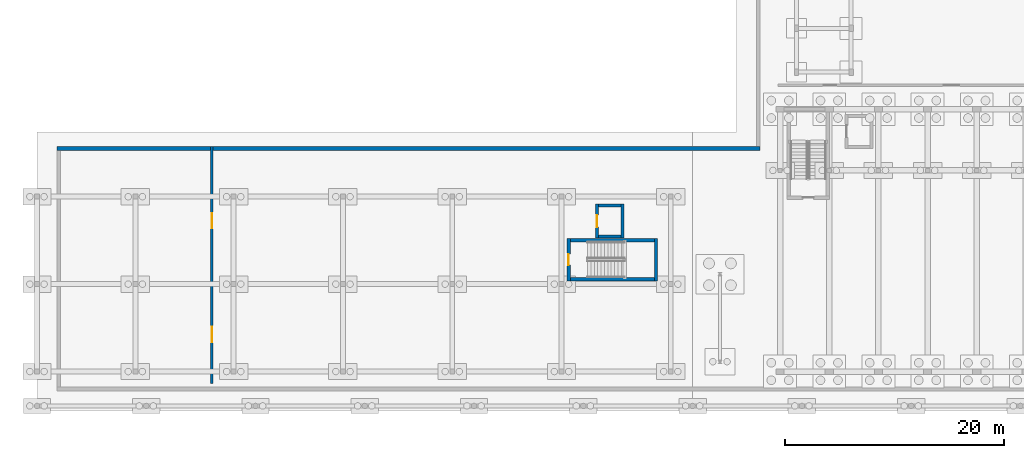
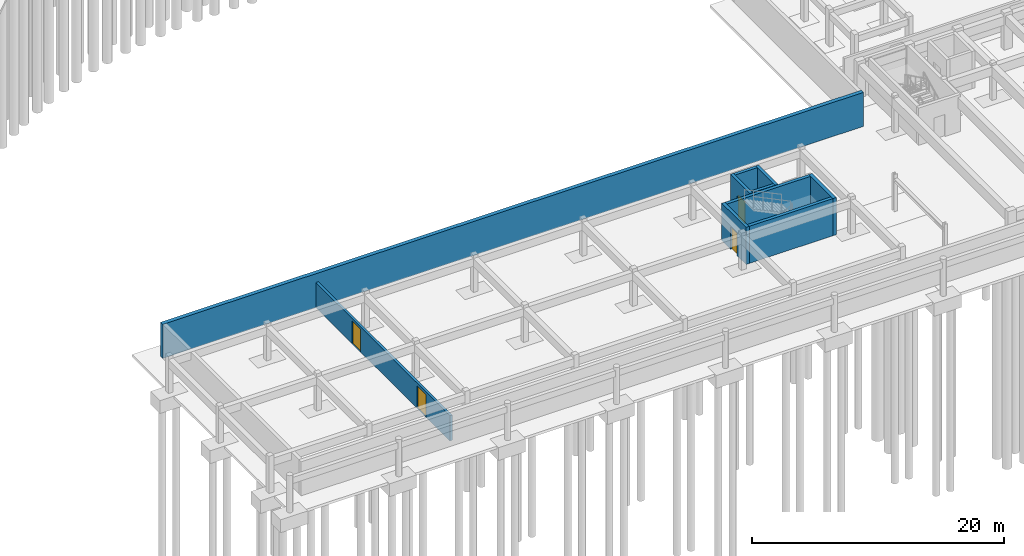
# One storey, part 16 of 32: 10 walls, 4 doors, 4 openings.
"""IFC4 building model written with IfcOpenShell, lengths in metres."""

from ifc_helpers import new_model, si_unit, direction, frame, frame_2d, origin, place, context, subcontext, project, spatial, rectangle, extrude, material, layer, layer_set, type_object, element, fill, save


model = new_model("IFC4")

# Units and contexts
model_context = context("Model", 3, precision=1e-05, world=origin(), true_north=direction((0.0, 1.0)))
body_context = subcontext(model_context, "Body", "Model", "MODEL_VIEW")
ifc_project = project(units=[si_unit("LENGTHUNIT", "METRE"), si_unit("AREAUNIT", "SQUARE_METRE"), si_unit("VOLUMEUNIT", "CUBIC_METRE"), si_unit("PLANEANGLEUNIT", "RADIAN"), si_unit("MASSUNIT", "GRAM", prefix="KILO")], contexts=[model_context])

# Site, building, storey
site_placement = place(None, origin())
site = spatial("IfcSite", under=ifc_project, at=site_placement, CompositionType="ELEMENT")
building_placement = place(site_placement, origin())
building = spatial("IfcBuilding", under=site, at=building_placement, Name="Zimvara Arc Housing Community", CompositionType="ELEMENT")
storey_placement = place(building_placement, frame((0.0, 0.0, -3.60009765625)))
storey = spatial("IfcBuildingStorey", under=building, at=storey_placement, Name="B1", CompositionType="ELEMENT", Elevation=-3.60009765625)

# Wall, openings, doors
ifc_material_1 = material(Name="Concrete C35/45", Category="concrete")
ifc_layer_1 = layer(ifc_material_1, 0.22509765625)
ifc_layer_set_1 = layer_set([ifc_layer_1], Name="Concrete C35/45")
wall_type_1 = type_object("IfcWallType", Name="IWL-PLNT-225", PredefinedType="SOLIDWALL", material=ifc_layer_set_1)
wall_1_placement = place(storey_placement, frame((16.0, 2.5, 0.0), z_axis=(0.0, 0.0, 1.0), x_axis=(0.0, 1.0, 0.0)))
wall_1 = element("IfcWall", 1, at=wall_1_placement, inside=storey, type_object=wall_type_1, Name="iwall:civ:b1_west_st", PredefinedType="SOLIDWALL", context=body_context, shape_type="SweptSolid", body=[
    extrude(rectangle(XDim=21.699951171875, YDim=0.22509765625, at=frame_2d((10.85009765625, 0.0))), origin(), (0.0, 0.0, 1.0), 2.4501953125),
])
opening_1_placement = place(wall_1_placement, frame((3.800048828125, 0.0, 0.0)))
opening_1 = element("IfcOpeningElement", 2, at=opening_1_placement, cuts=wall_1, Name="Opening FD-PL2", PredefinedType="OPENING", context=body_context, shape_type="SweptSolid", body=[
    extrude(rectangle(XDim=1.39990234375, YDim=2.199951171875, at=frame_2d((0.699951171875, 1.10009765625))), frame((0.0, 0.12255859375, 0.0), z_axis=(0.0, -1.0, 0.0), x_axis=(1.0, 0.0, 0.0)), (0.0, 0.0, 1.0), 0.2451171875),
])
opening_2_placement = place(wall_1_placement, frame((14.199951171875, 0.0, 0.0)))
opening_2 = element("IfcOpeningElement", 3, at=opening_2_placement, cuts=wall_1, Name="Opening FD-PL2", PredefinedType="OPENING", context=body_context, shape_type="SweptSolid", body=[
    extrude(rectangle(XDim=1.39990234375, YDim=2.199951171875, at=frame_2d((0.699951171875, 1.10009765625))), frame((0.0, 0.12255859375, 0.0), z_axis=(0.0, -1.0, 0.0), x_axis=(1.0, 0.0, 0.0)), (0.0, 0.0, 1.0), 0.2451171875),
])
ifc_material_2 = material(Name="Anodised Aluminium AW-6063", Category="aluminium")
door_type_1 = type_object("IfcDoorType", Name="IDR-PLNT-1400x2200", OperationType="DOUBLE_DOOR_SINGLE_SWING", PredefinedType="DOOR", material=ifc_material_2)
door_1_placement = place(opening_1_placement, origin())
door_1 = element("IfcDoor", 4, at=door_1_placement, inside=storey, type_object=door_type_1, Name="idoor:civ:wst_d", OperationType="DOUBLE_DOOR_SINGLE_SWING", OverallHeight=2.199951171875, OverallWidth=1.39990234375, PredefinedType="DOOR", context=body_context, shape_type="SweptSolid", body=[
    extrude(rectangle(XDim=1.39990234375, YDim=2.199951171875, at=frame_2d((0.699951171875, 1.10009765625))), frame((0.0, 0.02490234375, 0.0), z_axis=(0.0, -1.0, 0.0), x_axis=(1.0, 0.0, 0.0)), (0.0, 0.0, 1.0), 0.050048828125),
])
fill(opening_1, door_1)
door_2_placement = place(opening_2_placement, origin())
door_2 = element("IfcDoor", 5, at=door_2_placement, inside=storey, type_object=door_type_1, Name="idoor:civ:cyw_d", OperationType="DOUBLE_DOOR_SINGLE_SWING", OverallHeight=2.199951171875, OverallWidth=1.39990234375, PredefinedType="DOOR", context=body_context, shape_type="SweptSolid", body=[
    extrude(rectangle(XDim=1.39990234375, YDim=2.199951171875, at=frame_2d((0.699951171875, 1.10009765625))), frame((0.0, 0.02490234375, 0.0), z_axis=(0.0, -1.0, 0.0), x_axis=(1.0, 0.0, 0.0)), (0.0, 0.0, 1.0), 0.050048828125),
])
fill(opening_2, door_2)

# Wall, opening, door
ifc_material_3 = material(Name="Concrete C40/50", Category="concrete")
ifc_layer_2 = layer(ifc_material_3, 0.280029296875)
ifc_layer_set_2 = layer_set([ifc_layer_2], Name="Concrete C40/50")
wall_type_2 = type_object("IfcWallType", Name="WL-CORE-280", PredefinedType="SHEAR", material=ifc_layer_set_2)
wall_2_placement = place(storey_placement, frame((51.264892578125, 15.824951171875, 0.0), z_axis=(0.0, 0.0, 1.0), x_axis=(0.0, 1.0, 0.0)))
wall_2 = element("IfcWall", 6, at=wall_2_placement, inside=storey, type_object=wall_type_2, Name="lwall:LP-S1:B1:front", PredefinedType="SHEAR", context=body_context, shape_type="SweptSolid", body=[
    extrude(rectangle(XDim=3.090087890625, YDim=0.280029296875, at=frame_2d((1.544921875, 0.0))), origin(), (0.0, 0.0, 1.0), 3.60009765625),
])
opening_3_placement = place(wall_2_placement, frame((0.9951171875, 0.0, 0.0)))
opening_3 = element("IfcOpeningElement", 7, at=opening_3_placement, cuts=wall_2, Name="Opening LD-LP-S1", PredefinedType="OPENING", context=body_context, shape_type="SweptSolid", body=[
    extrude(rectangle(XDim=1.10009765625, YDim=2.14990234375, at=frame_2d((0.550048828125, 1.074951171875))), frame((0.0, 0.14990234375, 0.0), z_axis=(0.0, -1.0, 0.0), x_axis=(1.0, 0.0, 0.0)), (0.0, 0.0, 1.0), 0.300048828125),
])
ifc_material_4 = material(Name="Anodised Aluminium AW-6063", Category="aluminium")
door_type_2 = type_object("IfcDoorType", Name="IDR-LD-1100x2150", OperationType="DOUBLE_DOOR_SLIDING", PredefinedType="DOOR", material=ifc_material_4)
door_3_placement = place(opening_3_placement, origin())
door_3 = element("IfcDoor", 8, at=door_3_placement, inside=storey, type_object=door_type_2, Name="Lift LP-S1 Sliding Landing Door B1", OperationType="DOUBLE_DOOR_SLIDING", OverallHeight=2.14990234375, OverallWidth=1.10009765625, PredefinedType="DOOR", context=body_context, shape_type="SweptSolid", body=[
    extrude(rectangle(XDim=1.10009765625, YDim=2.14990234375, at=frame_2d((0.550048828125, 1.074951171875))), frame((0.0, 0.02490234375, 0.0), z_axis=(0.0, -1.0, 0.0), x_axis=(1.0, 0.0, 0.0)), (0.0, 0.0, 1.0), 0.050048828125),
])
fill(opening_3, door_3)

# Walls
wall_3_placement = place(storey_placement, frame((53.574951171875, 15.824951171875, 0.0), z_axis=(0.0, 0.0, 1.0), x_axis=(0.0, 1.0, 0.0)))
element("IfcWall", 9, at=wall_3_placement, inside=storey, type_object=wall_type_2, Name="lwall:LP-S1:B1:back", PredefinedType="SHEAR", context=body_context, shape_type="SweptSolid", body=[
    extrude(rectangle(XDim=3.090087890625, YDim=0.280029296875, at=frame_2d((1.544921875, 0.0))), origin(), (0.0, 0.0, 1.0), 3.60009765625),
])
for number, where, z_axis, x_axis, name in (
    (10, (51.405029296875, 15.965087890625, 0.0), (0.0, 0.0, 1.0), (1.0, 0.0, 0.0), "lwall:LP-S1:B1:left"),
    (11, (51.405029296875, 18.77490234375, 0.0), (0.0, 0.0, 1.0), (1.0, 0.0, 0.0), "lwall:LP-S1:B1:right"),
):
    element("IfcWall", number, at=place(storey_placement, frame(where, z_axis=z_axis, x_axis=x_axis)), inside=storey, type_object=wall_type_2, Name=name, PredefinedType="SHEAR", context=body_context, shape_type="SweptSolid", body=[
        extrude(rectangle(XDim=2.030029296875, YDim=0.280029296875, at=frame_2d((1.01513671875, 0.0))), origin(), (0.0, 0.0, 1.0), 3.60009765625),
    ])

# Wall, opening, door
ifc_material_5 = material(Name="Concrete C40/50", Category="concrete")
ifc_layer_3 = layer(ifc_material_5, 0.300048828125)
ifc_layer_set_3 = layer_set([ifc_layer_3], Name="Concrete C40/50")
wall_type_3 = type_object("IfcWallType", Name="WL-CORE-300", PredefinedType="SHEAR", material=ifc_layer_set_3)
wall_4_placement = place(storey_placement, frame((48.655029296875, 11.905029296875, 0.0), z_axis=(0.0, 0.0, 1.0), x_axis=(0.0, 1.0, 0.0)))
wall_4 = element("IfcWall", 12, at=wall_4_placement, inside=storey, type_object=wall_type_3, Name="cwall:ST-S1:B1:near", PredefinedType="SHEAR", context=body_context, shape_type="SweptSolid", body=[
    extrude(rectangle(XDim=3.869873046875, YDim=0.300048828125, at=frame_2d((1.93505859375, 0.0))), origin(), (0.0, 0.0, 1.0), 3.60009765625),
])
opening_4_placement = place(wall_4_placement, frame((1.43505859375, 0.0, 0.0)))
opening_4 = element("IfcOpeningElement", 13, at=opening_4_placement, cuts=wall_4, Name="Opening FD-ST1", PredefinedType="OPENING", context=body_context, shape_type="SweptSolid", body=[
    extrude(rectangle(XDim=1.0, YDim=2.14990234375, at=frame_2d((0.5, 1.074951171875))), frame((0.0, 0.159912109375, 0.0), z_axis=(0.0, -1.0, 0.0), x_axis=(1.0, 0.0, 0.0)), (0.0, 0.0, 1.0), 0.320068359375),
])
ifc_material_6 = material(Name="Anodised Aluminium AW-6063", Category="aluminium")
door_type_3 = type_object("IfcDoorType", Name="IDR-ST-1000x2150", OperationType="NOTDEFINED", PredefinedType="DOOR", material=ifc_material_6)
door_4_placement = place(opening_4_placement, origin())
door_4 = element("IfcDoor", 14, at=door_4_placement, inside=storey, type_object=door_type_3, Name="idoor:ST-S1:B1:entry", OperationType="SINGLE_SWING_LEFT", OverallHeight=2.14990234375, OverallWidth=1.0, PredefinedType="DOOR", context=body_context, shape_type="SweptSolid", body=[
    extrude(rectangle(XDim=1.0, YDim=2.14990234375, at=frame_2d((0.5, 1.074951171875))), frame((0.0, 0.02490234375, 0.0), z_axis=(0.0, -1.0, 0.0), x_axis=(1.0, 0.0, 0.0)), (0.0, 0.0, 1.0), 0.050048828125),
])
fill(opening_4, door_4)

# Walls
wall_5_placement = place(storey_placement, frame((56.64501953125, 11.905029296875, 0.0), z_axis=(0.0, 0.0, 1.0), x_axis=(0.0, 1.0, 0.0)))
element("IfcWall", 15, at=wall_5_placement, inside=storey, type_object=wall_type_3, Name="cwall:ST-S1:B1:far", PredefinedType="SHEAR", context=body_context, shape_type="SweptSolid", body=[
    extrude(rectangle(XDim=3.869873046875, YDim=0.300048828125, at=frame_2d((1.93505859375, 0.0))), origin(), (0.0, 0.0, 1.0), 3.60009765625),
])
for number, where, z_axis, x_axis, name in (
    (16, (48.804931640625, 12.054931640625, 0.0), (0.0, 0.0, 1.0), (1.0, 0.0, 0.0), "cwall:ST-S1:B1:left"),
    (17, (48.804931640625, 15.625, 0.0), (0.0, 0.0, 1.0), (1.0, 0.0, 0.0), "cwall:ST-S1:B1:right"),
):
    element("IfcWall", number, at=place(storey_placement, frame(where, z_axis=z_axis, x_axis=x_axis)), inside=storey, type_object=wall_type_3, Name=name, PredefinedType="SHEAR", context=body_context, shape_type="SweptSolid", body=[
        extrude(rectangle(XDim=7.690185546875, YDim=0.300048828125, at=frame_2d((3.84521484375, 0.0))), origin(), (0.0, 0.0, 1.0), 3.60009765625),
    ])
ifc_material_7 = material(Name="Concrete C35/45", Category="concrete")
ifc_layer_4 = layer(ifc_material_7, 0.360107421875)
ifc_layer_set_4 = layer_set([ifc_layer_4], Name="Concrete C35/45")
wall_type_4 = type_object("IfcWallType", Name="WL-RET-360", PredefinedType="USERDEFINED", material=ifc_layer_set_4)
wall_6_placement = place(storey_placement, frame((66.159912109375, 24.0, 0.0), z_axis=(0.0, 0.0, 1.0), x_axis=(-1.0, 0.0, 0.0)))
element("IfcWall", 18, at=wall_6_placement, inside=storey, type_object=wall_type_4, Name="wall:B1:ret:133", ObjectType="RETAINING WALL", PredefinedType="USERDEFINED", context=body_context, shape_type="SweptSolid", body=[
    extrude(rectangle(XDim=64.31982421875, YDim=0.360107421875, at=frame_2d((32.159912109375, 0.0))), origin(), (0.0, 0.0, 1.0), 3.300048828125),
])

save(model, "model.ifc")
